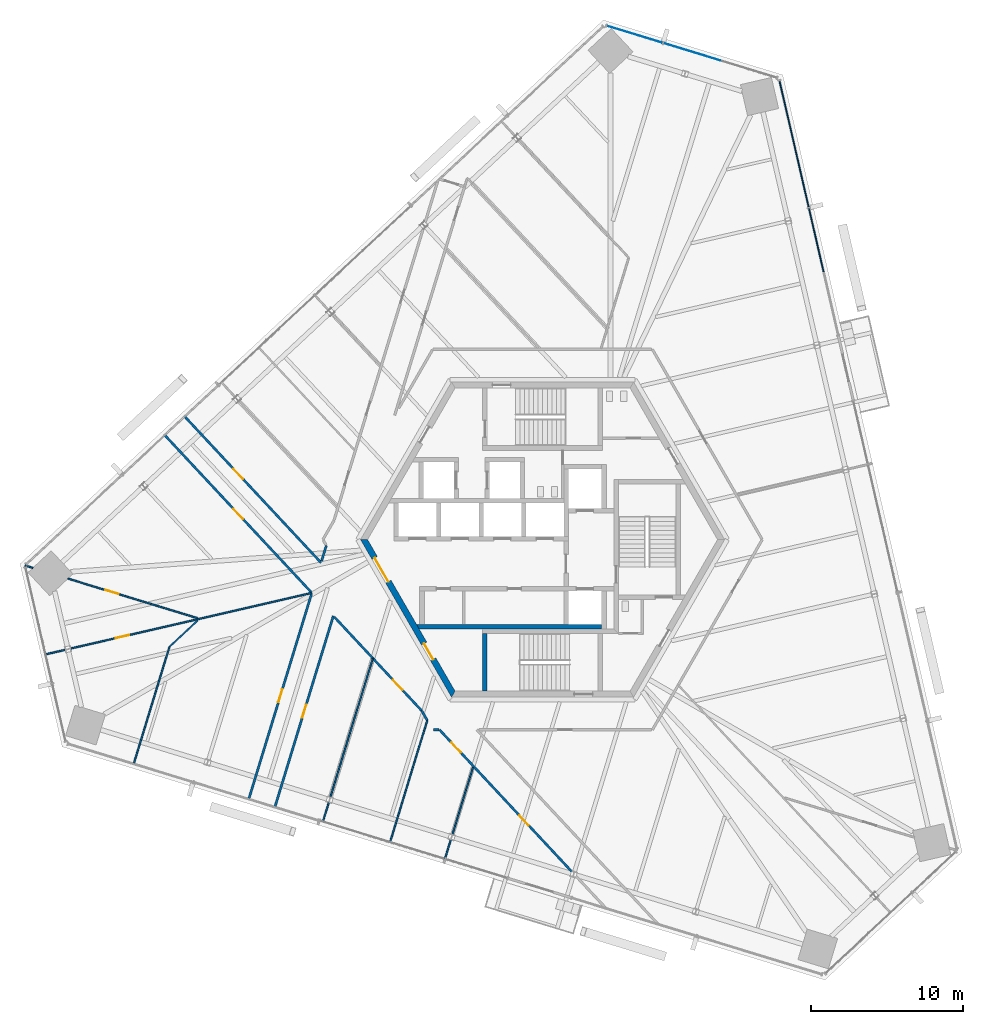
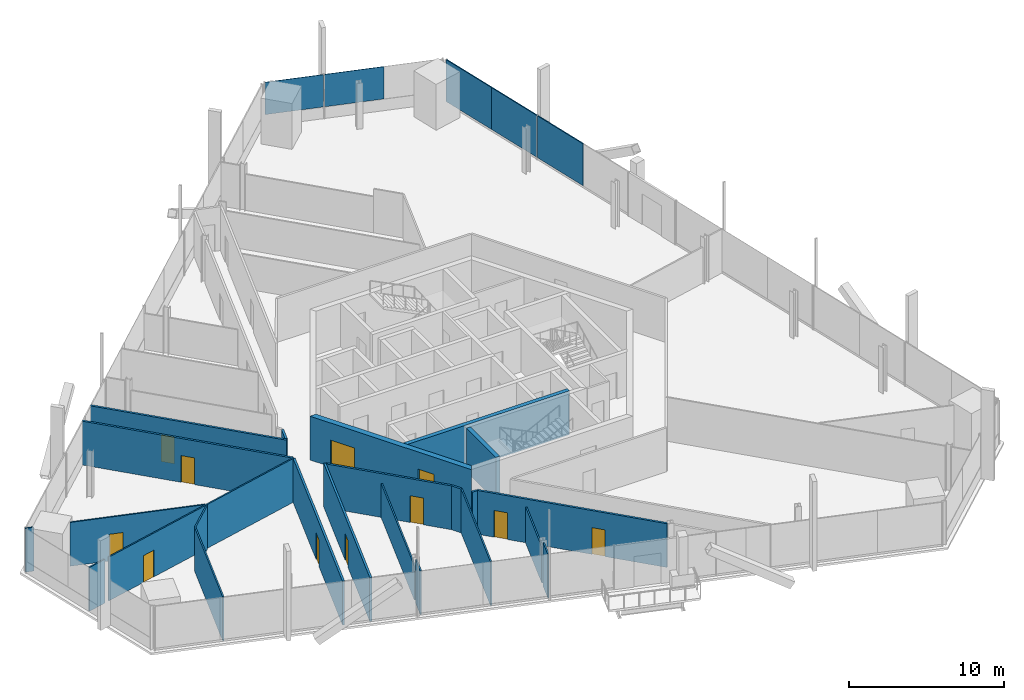
# One storey, part 12 of 23: 23 walls, 11 doors, 5 plates, 11 openings, 2 elements without a shape of their own.
"""IFC4 building model written with IfcOpenShell, lengths in metres."""

from ifc_helpers import new_model, si_unit, direction, frame, frame_2d, origin, origin_2d, place, context, subcontext, project, spatial, polyline, rectangle, outline, extrude, source, transform, mapped, material, layer, layer_set, type_object, element, fill, aggregate, save


model = new_model("IFC4")

# Units and contexts
model_context = context("Model", 3, precision=1e-05, world=origin(), true_north=direction((0.0, 1.0)))
body_context = subcontext(model_context, "Body", "Model", "MODEL_VIEW")
ifc_project = project(units=[si_unit("LENGTHUNIT", "METRE"), si_unit("AREAUNIT", "SQUARE_METRE"), si_unit("VOLUMEUNIT", "CUBIC_METRE"), si_unit("PLANEANGLEUNIT", "RADIAN"), si_unit("MASSUNIT", "GRAM", prefix="KILO")], contexts=[model_context])

# Site, building, storey
site_placement = place(None, origin())
site = spatial("IfcSite", under=ifc_project, at=site_placement, CompositionType="ELEMENT")
building_placement = place(site_placement, origin())
building = spatial("IfcBuilding", under=site, at=building_placement, Name="Triune Harvest Tower", CompositionType="ELEMENT")
storey_placement = place(building_placement, frame((0.0, 0.0, 105.5)))
storey = spatial("IfcBuildingStorey", under=building, at=storey_placement, Name="L26", CompositionType="ELEMENT", Elevation=105.5)

# Curtain wall, plates
ifc_material_1 = material(Name="Aluminium bronze anodised", Category="aluminium")
curtain_wall_type_1 = type_object("IfcCurtainWallType", Name="CW-1 Tower stick curtain wall", PredefinedType="NOTDEFINED", material=ifc_material_1)
curtain_wall_1_placement = place(storey_placement, origin())
curtain_wall_1 = element("IfcCurtainWall", 1, at=curtain_wall_1_placement, inside=storey, type_object=curtain_wall_type_1, Name="CW-1 B3-F2 L26 run 1")
ifc_material_2 = material(Name="Glass", Category="glass")
ifc_layer_1 = layer(ifc_material_2, 0.031982421875)
ifc_layer_set_1 = layer_set([ifc_layer_1], Name="Glass")
plate_type_1 = type_object("IfcPlateType", Name="GL-1 panel 32", PredefinedType="CURTAIN_PANEL", material=ifc_layer_set_1)
shared_shape_1 = source(origin(), body_context, "Body", "SweptSolid", [
    extrude(rectangle(XDim=3.911376953125, YDim=0.031982421875, at=origin_2d()), origin(), (0.0, 0.0, 1.0), 2.5400390625),
])
plate_1_placement = place(storey_placement, frame((9.851318359375, 32.15771484375, 0.89990234375), z_axis=(0.0, 0.0, 1.0), x_axis=(-0.956303148607, 0.292376962095, 0.0)))
plate_1 = element("IfcPlate", 2, at=plate_1_placement, type_object=plate_type_1, Name="CW-1 panel B3-F2 1.2", PredefinedType="CURTAIN_PANEL", context=body_context, shape_type="MappedRepresentation", body=[
    mapped(shared_shape_1, transform((0.0, 0.0, 0.0), scale=1.0)),
])
shared_shape_2 = source(origin(), body_context, "Body", "SweptSolid", [
    extrude(rectangle(XDim=3.83642578125, YDim=0.031982421875, at=origin_2d()), origin(), (0.0, 0.0, 1.0), 2.5400390625),
])
plate_2_placement = place(storey_placement, frame((6.07470703125, 33.312255859375, 0.89990234375), z_axis=(0.0, 0.0, 1.0), x_axis=(-0.956303148607, 0.292376962095, 0.0)))
plate_2 = element("IfcPlate", 3, at=plate_2_placement, type_object=plate_type_1, Name="CW-1 panel B3-F2 1.3", PredefinedType="CURTAIN_PANEL", context=body_context, shape_type="MappedRepresentation", body=[
    mapped(shared_shape_2, transform((0.0, 0.0, 0.0), scale=1.0)),
])
aggregate(curtain_wall_1, [plate_1, plate_2])

ifc_material_3 = material(Name="Aluminium bronze anodised", Category="aluminium")
curtain_wall_type_2 = type_object("IfcCurtainWallType", Name="CW-10 Balcony window wall with insulated spandrel infill", PredefinedType="NOTDEFINED", material=ifc_material_3)
curtain_wall_2_placement = place(storey_placement, origin())
curtain_wall_2 = element("IfcCurtainWall", 4, at=curtain_wall_2_placement, inside=storey, type_object=curtain_wall_type_2, Name="CW-10 B3-F1 L26 run 2")
ifc_material_4 = material(Name="Insulated spandrel panel, bronze aluminium pan", Category="aluminium")
ifc_layer_2 = layer(ifc_material_4, 0.080078125)
ifc_layer_set_2 = layer_set([ifc_layer_2], Name="Insulated spandrel panel, bronze aluminium pan")
plate_type_2 = type_object("IfcPlateType", Name="SP-1 insulated spandrel panel 80", PredefinedType="CURTAIN_PANEL", material=ifc_layer_set_2)
shared_shape_3 = source(origin(), body_context, "Body", "SweptSolid", [
    extrude(rectangle(XDim=4.255859375, YDim=0.080078125, at=origin_2d()), origin(), (0.0, 0.0, 1.0), 3.2900390625),
])
plate_3_placement = place(storey_placement, frame((16.099853515625, 28.1708984375, 0.14990234375), z_axis=(0.0, 0.0, 1.0), x_axis=(-0.22495121687, 0.974370027263, 0.0)))
plate_3 = element("IfcPlate", 5, at=plate_3_placement, type_object=plate_type_2, Name="CW-10 panel B3-F1 2.4", PredefinedType="CURTAIN_PANEL", context=body_context, shape_type="MappedRepresentation", body=[
    mapped(shared_shape_3, transform((0.0, 0.0, 0.0), scale=1.0)),
])
shared_shape_4 = source(origin(), body_context, "Body", "SweptSolid", [
    extrude(rectangle(XDim=4.29345703125, YDim=0.080078125, at=origin_2d()), origin(), (0.0, 0.0, 1.0), 3.2900390625),
])
plate_4_placement = place(storey_placement, frame((18.0439453125, 19.74951171875, 0.14990234375), z_axis=(0.0, 0.0, 1.0), x_axis=(-0.22495121687, 0.974370027263, 0.0)))
plate_4 = element("IfcPlate", 6, at=plate_4_placement, type_object=plate_type_2, Name="CW-10 panel B3-F1 2.2", PredefinedType="CURTAIN_PANEL", context=body_context, shape_type="MappedRepresentation", body=[
    mapped(shared_shape_4, transform((0.0, 0.0, 0.0), scale=1.0)),
])
plate_5_placement = place(storey_placement, frame((17.061279296875, 24.005859375, 0.14990234375), z_axis=(0.0, 0.0, 1.0), x_axis=(-0.22495121687, 0.974370027263, 0.0)))
plate_5 = element("IfcPlate", 7, at=plate_5_placement, type_object=plate_type_2, Name="CW-10 panel B3-F1 2.3", PredefinedType="CURTAIN_PANEL", context=body_context, shape_type="MappedRepresentation", body=[
    mapped(shared_shape_4, transform((0.0, 0.0, 0.0), scale=1.0)),
])
aggregate(curtain_wall_2, [plate_4, plate_5, plate_3])

# Wall
ifc_material_5 = material(Name="Gypsum board on steel studs", Category="steel")
ifc_layer_3 = layer(ifc_material_5, 0.14990234375)
ifc_layer_set_3 = layer_set([ifc_layer_3], Name="Gypsum board on steel studs")
wall_type_1 = type_object("IfcWallType", Name="Fire Partition 150 mm", PredefinedType="PARTITIONING", material=ifc_layer_set_3)
wall_1_placement = place(storey_placement, frame((-7.9716796875, -11.2783203125, 0.0), z_axis=(0.0, 0.0, 1.0), x_axis=(0.500006299954, -0.866021766474, 0.0)))
element("IfcWall", 8, at=wall_1_placement, inside=storey, type_object=wall_type_1, Name="Partition L26 002", PredefinedType="PARTITIONING", context=body_context, shape_type="SweptSolid", body=[
    extrude(rectangle(XDim=0.7197265625, YDim=0.14990234375, at=frame_2d((0.35986328125, 0.0))), origin(), (0.0, 0.0, 1.0), 3.43994140625),
])

# Wall, opening, door
wall_2_placement = place(storey_placement, frame((-24.90966796875, 6.8857421875, 0.0), z_axis=(0.0, 0.0, 1.0), x_axis=(0.681998855031, -0.731353240053, 0.0)))
wall_2 = element("IfcWall", 9, at=wall_2_placement, inside=storey, type_object=wall_type_1, Name="Partition L26 004", PredefinedType="PARTITIONING", context=body_context, shape_type="SweptSolid", body=[
    extrude(rectangle(XDim=14.1376953125, YDim=0.14990234375, at=frame_2d((7.06884765625, 0.0))), origin(), (0.0, 0.0, 1.0), 3.43994140625),
])
opening_1_placement = place(wall_2_placement, frame((6.650146484375, 0.0, 0.0)))
opening_1 = element("IfcOpeningElement", 10, at=opening_1_placement, cuts=wall_2, Name="Opening L26-009", PredefinedType="OPENING", context=body_context, shape_type="SweptSolid", body=[
    extrude(rectangle(XDim=0.89990234375, YDim=2.10009765625, at=frame_2d((0.449951171875, 1.050048828125))), frame((0.0, 0.0849609375, 0.0), z_axis=(0.0, -1.0, 0.0), x_axis=(1.0, 0.0, 0.0)), (0.0, 0.0, 1.0), 0.169921875),
])
ifc_material_6 = material(Name="Timber and steel door set", Category="steel")
door_type_1 = type_object("IfcDoorType", Name="Single leaf door FD30 right hand 900 x 2100", OperationType="SINGLE_SWING_RIGHT", PredefinedType="DOOR", material=ifc_material_6)
door_1_placement = place(opening_1_placement, origin())
door_1 = element("IfcDoor", 11, at=door_1_placement, inside=storey, type_object=door_type_1, Name="Door L26-009 Office 26.09", OperationType="SINGLE_SWING_RIGHT", OverallHeight=2.10009765625, OverallWidth=0.89990234375, PredefinedType="DOOR", context=body_context, shape_type="SweptSolid", body=[
    extrude(rectangle(XDim=0.89990234375, YDim=2.10009765625, at=frame_2d((0.449951171875, 1.050048828125))), frame((0.0, 0.02490234375, 0.0), z_axis=(0.0, -1.0, 0.0), x_axis=(1.0, 0.0, 0.0)), (0.0, 0.0, 1.0), 0.050048828125),
])
fill(opening_1, door_1)

wall_3_placement = place(storey_placement, frame((-13.720947265625, -5.112548828125, 0.0), z_axis=(0.0, 0.0, 1.0), x_axis=(0.681992187494, -0.731359457583, 0.0)))
wall_3 = element("IfcWall", 12, at=wall_3_placement, inside=storey, type_object=wall_type_1, Name="Partition L26 005", PredefinedType="PARTITIONING", context=body_context, shape_type="SweptSolid", body=[
    extrude(rectangle(XDim=8.431884765625, YDim=0.14990234375, at=frame_2d((4.2158203125, 0.0))), origin(), (0.0, 0.0, 1.0), 3.43994140625),
])
opening_2_placement = place(wall_3_placement, frame((5.6591796875, 0.0, 0.0)))
opening_2 = element("IfcOpeningElement", 13, at=opening_2_placement, cuts=wall_3, Name="Opening L26-015", PredefinedType="OPENING", context=body_context, shape_type="SweptSolid", body=[
    extrude(rectangle(XDim=0.89990234375, YDim=2.10009765625, at=frame_2d((0.449951171875, 1.050048828125))), frame((0.0, 0.0849609375, 0.0), z_axis=(0.0, -1.0, 0.0), x_axis=(1.0, 0.0, 0.0)), (0.0, 0.0, 1.0), 0.169921875),
])
ifc_material_7 = material(Name="Timber and steel door set", Category="steel")
door_type_2 = type_object("IfcDoorType", Name="Single leaf door FD30 left hand 900 x 2100", OperationType="SINGLE_SWING_LEFT", PredefinedType="DOOR", material=ifc_material_7)
door_2_placement = place(opening_2_placement, origin())
door_2 = element("IfcDoor", 14, at=door_2_placement, inside=storey, type_object=door_type_2, Name="Door L26-015 Phone room 26.15", OperationType="SINGLE_SWING_LEFT", OverallHeight=2.10009765625, OverallWidth=0.89990234375, PredefinedType="DOOR", context=body_context, shape_type="SweptSolid", body=[
    extrude(rectangle(XDim=0.89990234375, YDim=2.10009765625, at=frame_2d((0.449951171875, 1.050048828125))), frame((0.0, 0.02490234375, 0.0), z_axis=(0.0, -1.0, 0.0), x_axis=(1.0, 0.0, 0.0)), (0.0, 0.0, 1.0), 0.050048828125),
])
fill(opening_2, door_2)

wall_4_placement = place(storey_placement, frame((-17.6484375, -17.635009765625, 0.0), z_axis=(0.0, 0.0, 1.0), x_axis=(0.292363029306, 0.956307408261, 0.0)))
wall_4 = element("IfcWall", 15, at=wall_4_placement, inside=storey, type_object=wall_type_1, Name="Partition L26 043", PredefinedType="PARTITIONING", context=body_context, shape_type="SweptSolid", body=[
    extrude(rectangle(XDim=13.177978515625, YDim=0.14990234375, at=frame_2d((6.5888671875, 0.0))), origin(), (0.0, 0.0, 1.0), 3.43994140625),
])
opening_3_placement = place(wall_4_placement, frame((6.150146484375, 0.0, 0.0)))
opening_3 = element("IfcOpeningElement", 16, at=opening_3_placement, cuts=wall_4, Name="Opening L26-014", PredefinedType="OPENING", context=body_context, shape_type="SweptSolid", body=[
    extrude(rectangle(XDim=0.89990234375, YDim=2.10009765625, at=frame_2d((0.449951171875, 1.050048828125))), frame((0.0, 0.0849609375, 0.0), z_axis=(0.0, -1.0, 0.0), x_axis=(1.0, 0.0, 0.0)), (0.0, 0.0, 1.0), 0.169921875),
])
door_3_placement = place(opening_3_placement, origin())
door_3 = element("IfcDoor", 17, at=door_3_placement, inside=storey, type_object=door_type_2, Name="Door L26-014 Meeting Room 26.14", OperationType="SINGLE_SWING_LEFT", OverallHeight=2.10009765625, OverallWidth=0.89990234375, PredefinedType="DOOR", context=body_context, shape_type="SweptSolid", body=[
    extrude(rectangle(XDim=0.89990234375, YDim=2.10009765625, at=frame_2d((0.449951171875, 1.050048828125))), frame((0.0, 0.02490234375, 0.0), z_axis=(0.0, -1.0, 0.0), x_axis=(1.0, 0.0, 0.0)), (0.0, 0.0, 1.0), 0.050048828125),
])
fill(opening_3, door_3)

# Walls
ifc_material_8 = material(Name="Gypsum board on steel studs", Category="steel")
ifc_layer_4 = layer(ifc_material_8, 0.10009765625)
ifc_layer_set_4 = layer_set([ifc_layer_4], Name="Gypsum board on steel studs")
wall_type_2 = type_object("IfcWallType", Name="Partition 100 mm", PredefinedType="PARTITIONING", material=ifc_layer_set_4)
wall_5_placement = place(storey_placement, frame((-24.596923828125, -7.064453125, 0.0), z_axis=(0.0, 0.0, 1.0), x_axis=(0.731325782477, 0.682028298449, 0.0)))
element("IfcWall", 18, at=wall_5_placement, inside=storey, type_object=wall_type_2, Name="Partition L26 033", PredefinedType="PARTITIONING", context=body_context, shape_type="SweptSolid", body=[
    extrude(rectangle(XDim=2.550537109375, YDim=0.10009765625, at=frame_2d((1.275390625, 0.0))), origin(), (0.0, 0.0, 1.0), 3.43994140625),
])
wall_6_placement = place(storey_placement, frame((-10.060302734375, -19.954833984375, 0.0), z_axis=(0.0, 0.0, 1.0), x_axis=(0.292358731613, 0.956308722144, 0.0)))
element("IfcWall", 19, at=wall_6_placement, inside=storey, type_object=wall_type_2, Name="Partition L26 040", PredefinedType="PARTITIONING", context=body_context, shape_type="SweptSolid", body=[
    extrude(rectangle(XDim=8.40576171875, YDim=0.10009765625, at=frame_2d((4.202880859375, 0.0))), origin(), (0.0, 0.0, 1.0), 3.43994140625),
])
wall_7_placement = place(storey_placement, frame((-26.95849609375, -14.78857421875, 0.0), z_axis=(0.0, 0.0, 1.0), x_axis=(0.2923797957, 0.956302282266, 0.0)))
element("IfcWall", 20, at=wall_7_placement, inside=storey, type_object=wall_type_2, Name="Partition L26 050", PredefinedType="PARTITIONING", context=body_context, shape_type="SweptSolid", body=[
    extrude(rectangle(XDim=8.0771484375, YDim=0.10009765625, at=frame_2d((4.03857421875, 0.0))), origin(), (0.0, 0.0, 1.0), 3.43994140625),
])

# Wall, openings, doors
ifc_material_9 = material(Name="Concrete 70 MPa", Category="concrete")
ifc_layer_5 = layer(ifc_material_9, 0.39990234375)
ifc_layer_set_5 = layer_set([ifc_layer_5], Name="Concrete 70 MPa")
wall_type_3 = type_object("IfcWallType", Name="Core wall 400", PredefinedType="SHEAR", material=ifc_layer_set_5)
shared_shape_5 = source(origin(), body_context, "Body", "SweptSolid", [
    extrude(outline(polyline([(-0.115478515625, -0.199951171875), (11.884521484375, -0.199951171875), (11.653564453125, 0.199951171875), (0.115478515625, 0.199951171875), (-0.115478515625, -0.199951171875)])), origin(), (0.0, 0.0, 1.0), 3.43994140625),
])
wall_8_placement = place(storey_placement, frame((-11.76904296875, 0.0, 0.0), z_axis=(0.0, 0.0, 1.0), x_axis=(0.499996592174, -0.866027371285, 0.0)))
wall_8 = element("IfcWall", 21, at=wall_8_placement, inside=storey, type_object=wall_type_3, Name="Hexagon 3 wall", PredefinedType="SHEAR", context=body_context, shape_type="MappedRepresentation", body=[
    mapped(shared_shape_5, transform((0.0, 0.0, 0.0), scale=1.0)),
])
opening_4_placement = place(wall_8_placement, frame((1.404541015625, 0.0, 0.0)))
opening_4 = element("IfcOpeningElement", 22, at=opening_4_placement, cuts=wall_8, Name="Opening CD-LS", PredefinedType="OPENING", context=body_context, shape_type="SweptSolid", body=[
    extrude(rectangle(XDim=1.800048828125, YDim=2.10009765625, at=frame_2d((0.89990234375, 1.050048828125))), frame((0.0, 0.2099609375, 0.0), z_axis=(0.0, -1.0, 0.0), x_axis=(1.0, 0.0, 0.0)), (0.0, 0.0, 1.0), 0.419921875),
])
opening_5_placement = place(wall_8_placement, frame((7.91455078125, 0.0, 0.0)))
opening_5 = element("IfcOpeningElement", 23, at=opening_5_placement, cuts=wall_8, Name="Opening CD-SWP", PredefinedType="OPENING", context=body_context, shape_type="SweptSolid", body=[
    extrude(rectangle(XDim=1.199951171875, YDim=2.10009765625, at=frame_2d((0.60009765625, 1.050048828125))), frame((0.0, 0.2099609375, 0.0), z_axis=(0.0, -1.0, 0.0), x_axis=(1.0, 0.0, 0.0)), (0.0, 0.0, 1.0), 0.419921875),
])
ifc_material_10 = material(Name="Steel S235", Category="steel")
door_type_3 = type_object("IfcDoorType", Name="Lobby door 1800 FD120", OperationType="DOUBLE_DOOR_DOUBLE_SWING", PredefinedType="DOOR", material=ifc_material_10)
door_4_placement = place(opening_4_placement, frame((1.800048828125, 0.0, 0.0), z_axis=(0.0, 0.0, 1.0), x_axis=(-1.0, 0.0, 0.0)))
door_4 = element("IfcDoor", 24, at=door_4_placement, inside=storey, type_object=door_type_3, Name="Door CD-LS", OperationType="DOUBLE_DOOR_DOUBLE_SWING", OverallHeight=2.10009765625, OverallWidth=1.800048828125, PredefinedType="DOOR", context=body_context, shape_type="SweptSolid", body=[
    extrude(rectangle(XDim=1.800048828125, YDim=2.10009765625, at=frame_2d((0.89990234375, 1.050048828125))), frame((0.0, 0.02490234375, 0.0), z_axis=(0.0, -1.0, 0.0), x_axis=(1.0, 0.0, 0.0)), (0.0, 0.0, 1.0), 0.050048828125),
])
fill(opening_4, door_4)
ifc_material_11 = material(Name="Steel S235", Category="steel")
door_type_4 = type_object("IfcDoorType", Name="Service door 1200 FD120", OperationType="SINGLE_SWING_LEFT", PredefinedType="DOOR", material=ifc_material_11)
door_5_placement = place(opening_5_placement, frame((1.199951171875, 0.0, 0.0), z_axis=(0.0, 0.0, 1.0), x_axis=(-1.0, 0.0, 0.0)))
door_5 = element("IfcDoor", 25, at=door_5_placement, inside=storey, type_object=door_type_4, Name="Door CD-SWP", OperationType="SINGLE_SWING_RIGHT", OverallHeight=2.10009765625, OverallWidth=1.199951171875, PredefinedType="DOOR", context=body_context, shape_type="SweptSolid", body=[
    extrude(rectangle(XDim=1.199951171875, YDim=2.10009765625, at=frame_2d((0.60009765625, 1.050048828125))), frame((0.0, 0.02490234375, 0.0), z_axis=(0.0, -1.0, 0.0), x_axis=(1.0, 0.0, 0.0)), (0.0, 0.0, 1.0), 0.050048828125),
])
fill(opening_5, door_5)

# Walls
ifc_material_12 = material(Name="Concrete 70 MPa", Category="concrete")
ifc_layer_6 = layer(ifc_material_12, 0.300048828125)
ifc_layer_set_6 = layer_set([ifc_layer_6], Name="Concrete 70 MPa")
wall_type_4 = type_object("IfcWallType", Name="Core wall 300", PredefinedType="SHEAR", material=ifc_layer_set_6)
shared_shape_6 = source(origin(), body_context, "Body", "SweptSolid", [
    extrude(outline(polyline([(12.0, -0.14990234375), (-0.039794921875, -0.14990234375), (-0.212890625, 0.14990234375), (12.0, 0.14990234375), (12.0, -0.14990234375)])), origin(), (0.0, 0.0, 1.0), 3.43994140625),
])
wall_9_placement = place(storey_placement, frame((-8.10009765625, -5.739990234375, 0.0), z_axis=(0.0, 0.0, 1.0), x_axis=(1.0, 0.0, 0.0)))
element("IfcWall", 26, at=wall_9_placement, inside=storey, type_object=wall_type_4, Name="South back wall", PredefinedType="SHEAR", context=body_context, shape_type="MappedRepresentation", body=[
    mapped(shared_shape_6, transform((0.0, 0.0, 0.0), scale=1.0)),
])
shared_shape_7 = source(origin(), body_context, "Body", "SweptSolid", [
    extrude(outline(polyline([(3.800048828125, -0.14990234375), (-0.00439453125, -0.14990234375), (-0.00439453125, 0.14990234375), (3.800048828125, 0.14990234375), (3.800048828125, -0.14990234375)])), origin(), (0.0, 0.0, 1.0), 3.43994140625),
])
wall_10_placement = place(storey_placement, frame((-3.800048828125, -9.989990234375, 0.0), z_axis=(0.0, 0.0, 1.0), x_axis=(0.0, 1.0, 0.0)))
element("IfcWall", 27, at=wall_10_placement, inside=storey, type_object=wall_type_4, Name="Stair s west wall", PredefinedType="SHEAR", context=body_context, shape_type="MappedRepresentation", body=[
    mapped(shared_shape_7, transform((0.0, 0.0, 0.0), scale=1.0)),
])
shared_shape_8 = source(origin(), body_context, "Body", "SweptSolid", [
    extrude(rectangle(XDim=0.358642578125, YDim=0.14990234375, at=frame_2d((0.17919921875, 0.0))), origin(), (0.0, 0.0, 1.0), 3.43994140625),
])
wall_11_placement = place(storey_placement, frame((-7.19140625, -12.542236328125, 0.0), z_axis=(0.0, 0.0, 1.0), x_axis=(1.0, 0.0, 0.0)))
element("IfcWall", 28, at=wall_11_placement, inside=storey, type_object=wall_type_1, Name="Partition L26 026", PredefinedType="PARTITIONING", context=body_context, shape_type="MappedRepresentation", body=[
    mapped(shared_shape_8, transform((0.0, 0.0, 0.0), scale=1.0)),
])

# Wall, opening, door
shared_shape_9 = source(origin(), body_context, "Body", "SweptSolid", [
    extrude(rectangle(XDim=14.137451171875, YDim=0.14990234375, at=frame_2d((7.06884765625, 0.0))), origin(), (0.0, 0.0, 1.0), 3.43994140625),
])
wall_12_placement = place(storey_placement, frame((-19.3701171875, -17.108642578125, 0.0), z_axis=(0.0, 0.0, 1.0), x_axis=(0.292364630353, 0.956306918786, 0.0)))
wall_12 = element("IfcWall", 29, at=wall_12_placement, inside=storey, type_object=wall_type_1, Name="Partition L26 046", PredefinedType="PARTITIONING", context=body_context, shape_type="MappedRepresentation", body=[
    mapped(shared_shape_9, transform((0.0, 0.0, 0.0), scale=1.0)),
])
opening_6_placement = place(wall_12_placement, frame((6.66748046875, 0.0, 0.0)))
opening_6 = element("IfcOpeningElement", 30, at=opening_6_placement, cuts=wall_12, Name="Opening L26-013", PredefinedType="OPENING", context=body_context, shape_type="SweptSolid", body=[
    extrude(rectangle(XDim=0.89990234375, YDim=2.10009765625, at=frame_2d((0.449951171875, 1.050048828125))), frame((0.0, 0.0849609375, 0.0), z_axis=(0.0, -1.0, 0.0), x_axis=(1.0, 0.0, 0.0)), (0.0, 0.0, 1.0), 0.169921875),
])
door_6_placement = place(opening_6_placement, origin())
door_6 = element("IfcDoor", 31, at=door_6_placement, inside=storey, type_object=door_type_1, Name="Door L26-013 Office 26.13", OperationType="SINGLE_SWING_RIGHT", OverallHeight=2.10009765625, OverallWidth=0.89990234375, PredefinedType="DOOR", context=body_context, shape_type="SweptSolid", body=[
    extrude(rectangle(XDim=0.89990234375, YDim=2.10009765625, at=frame_2d((0.449951171875, 1.050048828125))), frame((0.0, 0.02490234375, 0.0), z_axis=(0.0, -1.0, 0.0), x_axis=(1.0, 0.0, 0.0)), (0.0, 0.0, 1.0), 0.050048828125),
])
fill(opening_6, door_6)

# Wall, openings, doors
shared_shape_10 = source(origin(), body_context, "Body", "SweptSolid", [
    extrude(rectangle(XDim=12.765625, YDim=0.14990234375, at=frame_2d((6.3828125, 0.0))), origin(), (0.0, 0.0, 1.0), 3.43994140625),
])
wall_13_placement = place(storey_placement, frame((-6.792724609375, -12.542236328125, 0.0), z_axis=(0.0, 0.0, 1.0), x_axis=(0.681995194953, -0.731356653119, 0.0)))
wall_13 = element("IfcWall", 32, at=wall_13_placement, inside=storey, type_object=wall_type_1, Name="Partition L26 006", PredefinedType="PARTITIONING", context=body_context, shape_type="MappedRepresentation", body=[
    mapped(shared_shape_10, transform((0.0, 0.0, 0.0), scale=1.0)),
])
opening_7_placement = place(wall_13_placement, frame((1.14990234375, 0.0, 0.0)))
opening_7 = element("IfcOpeningElement", 33, at=opening_7_placement, cuts=wall_13, Name="Opening L26-016", PredefinedType="OPENING", context=body_context, shape_type="SweptSolid", body=[
    extrude(rectangle(XDim=0.89990234375, YDim=2.10009765625, at=frame_2d((0.449951171875, 1.050048828125))), frame((0.0, 0.0849609375, 0.0), z_axis=(0.0, -1.0, 0.0), x_axis=(1.0, 0.0, 0.0)), (0.0, 0.0, 1.0), 0.169921875),
])
opening_8_placement = place(wall_13_placement, frame((7.71630859375, 0.0, 0.0)))
opening_8 = element("IfcOpeningElement", 34, at=opening_8_placement, cuts=wall_13, Name="Opening L26-017", PredefinedType="OPENING", context=body_context, shape_type="SweptSolid", body=[
    extrude(rectangle(XDim=0.89990234375, YDim=2.10009765625, at=frame_2d((0.449951171875, 1.050048828125))), frame((0.0, 0.0849609375, 0.0), z_axis=(0.0, -1.0, 0.0), x_axis=(1.0, 0.0, 0.0)), (0.0, 0.0, 1.0), 0.169921875),
])
door_7_placement = place(opening_8_placement, origin())
door_7 = element("IfcDoor", 35, at=door_7_placement, inside=storey, type_object=door_type_2, Name="Door L26-017 Open Office 26.17", OperationType="SINGLE_SWING_LEFT", OverallHeight=2.10009765625, OverallWidth=0.89990234375, PredefinedType="DOOR", context=body_context, shape_type="SweptSolid", body=[
    extrude(rectangle(XDim=0.89990234375, YDim=2.10009765625, at=frame_2d((0.449951171875, 1.050048828125))), frame((0.0, 0.02490234375, 0.0), z_axis=(0.0, -1.0, 0.0), x_axis=(1.0, 0.0, 0.0)), (0.0, 0.0, 1.0), 0.050048828125),
])
fill(opening_8, door_7)
door_8_placement = place(opening_7_placement, origin())
door_8 = element("IfcDoor", 36, at=door_8_placement, inside=storey, type_object=door_type_1, Name="Door L26-016 Meeting Room 26.16", OperationType="SINGLE_SWING_RIGHT", OverallHeight=2.10009765625, OverallWidth=0.89990234375, PredefinedType="DOOR", context=body_context, shape_type="SweptSolid", body=[
    extrude(rectangle(XDim=0.89990234375, YDim=2.10009765625, at=frame_2d((0.449951171875, 1.050048828125))), frame((0.0, 0.02490234375, 0.0), z_axis=(0.0, -1.0, 0.0), x_axis=(1.0, 0.0, 0.0)), (0.0, 0.0, 1.0), 0.050048828125),
])
fill(opening_7, door_8)

# Wall, opening, door
shared_shape_11 = source(origin(), body_context, "Body", "SweptSolid", [
    extrude(rectangle(XDim=13.17822265625, YDim=0.14990234375, at=frame_2d((6.589111328125, 0.0))), origin(), (0.0, 0.0, 1.0), 3.43994140625),
])
wall_14_placement = place(storey_placement, frame((-23.59326171875, 8.11328125, 0.0), z_axis=(0.0, 0.0, 1.0), x_axis=(0.681999370249, -0.731352759604, 0.0)))
wall_14 = element("IfcWall", 37, at=wall_14_placement, inside=storey, type_object=wall_type_1, Name="Partition L26 008", PredefinedType="PARTITIONING", context=body_context, shape_type="MappedRepresentation", body=[
    mapped(shared_shape_11, transform((0.0, 0.0, 0.0), scale=1.0)),
])
opening_9_placement = place(wall_14_placement, frame((4.7314453125, 0.0, 0.0)))
opening_9 = element("IfcOpeningElement", 38, at=opening_9_placement, cuts=wall_14, Name="Opening L26-010", PredefinedType="OPENING", context=body_context, shape_type="SweptSolid", body=[
    extrude(rectangle(XDim=0.89990234375, YDim=2.10009765625, at=frame_2d((0.449951171875, 1.050048828125))), frame((0.0, 0.0849609375, 0.0), z_axis=(0.0, -1.0, 0.0), x_axis=(1.0, 0.0, 0.0)), (0.0, 0.0, 1.0), 0.169921875),
])
door_9_placement = place(opening_9_placement, origin())
door_9 = element("IfcDoor", 39, at=door_9_placement, inside=storey, type_object=door_type_2, Name="Door L26-010 Office 26.10", OperationType="SINGLE_SWING_LEFT", OverallHeight=2.10009765625, OverallWidth=0.89990234375, PredefinedType="DOOR", context=body_context, shape_type="SweptSolid", body=[
    extrude(rectangle(XDim=0.89990234375, YDim=2.10009765625, at=frame_2d((0.449951171875, 1.050048828125))), frame((0.0, 0.02490234375, 0.0), z_axis=(0.0, -1.0, 0.0), x_axis=(1.0, 0.0, 0.0)), (0.0, 0.0, 1.0), 0.050048828125),
])
fill(opening_9, door_9)

# Walls
shared_shape_12 = source(origin(), body_context, "Body", "SweptSolid", [
    extrude(rectangle(XDim=1.338134765625, YDim=0.10009765625, at=frame_2d((0.6689453125, 0.0))), origin(), (0.0, 0.0, 1.0), 3.43994140625),
])
wall_15_placement = place(storey_placement, frame((-32.770751953125, -7.56591796875, 0.0), z_axis=(0.0, 0.0, 1.0), x_axis=(0.974363511026, 0.224979439906, 0.0)))
element("IfcWall", 40, at=wall_15_placement, inside=storey, type_object=wall_type_2, Name="Partition L26 029", PredefinedType="PARTITIONING", context=body_context, shape_type="MappedRepresentation", body=[
    mapped(shared_shape_12, transform((0.0, 0.0, 0.0), scale=1.0)),
])
shared_shape_13 = source(origin(), body_context, "Body", "SweptSolid", [
    extrude(rectangle(XDim=0.552490234375, YDim=0.10009765625, at=frame_2d((0.2763671875, 0.0))), origin(), (0.0, 0.0, 1.0), 3.43994140625),
])
wall_16_placement = place(storey_placement, frame((-34.12353515625, -1.70654296875, 0.0), z_axis=(0.0, 0.0, 1.0), x_axis=(0.956379013247, -0.292128709684, 0.0)))
element("IfcWall", 41, at=wall_16_placement, inside=storey, type_object=wall_type_2, Name="Partition L26 021", PredefinedType="PARTITIONING", context=body_context, shape_type="MappedRepresentation", body=[
    mapped(shared_shape_13, transform((0.0, 0.0, 0.0), scale=1.0)),
])

# Wall, opening, door
shared_shape_14 = source(origin(), body_context, "Body", "SweptSolid", [
    extrude(rectangle(XDim=8.922607421875, YDim=0.10009765625, at=frame_2d((4.46142578125, 0.0))), origin(), (0.0, 0.0, 1.0), 3.43994140625),
])
wall_17_placement = place(storey_placement, frame((-31.298095703125, -2.5703125, 0.0), z_axis=(0.0, 0.0, 1.0), x_axis=(0.956306954014, -0.292364515126, 0.0)))
wall_17 = element("IfcWall", 42, at=wall_17_placement, inside=storey, type_object=wall_type_2, Name="Partition L26 022", PredefinedType="PARTITIONING", context=body_context, shape_type="MappedRepresentation", body=[
    mapped(shared_shape_14, transform((0.0, 0.0, 0.0), scale=1.0)),
])
opening_10_placement = place(wall_17_placement, frame((2.595703125, 0.0, 0.0)))
opening_10 = element("IfcOpeningElement", 43, at=opening_10_placement, cuts=wall_17, Name="Opening L26-011", PredefinedType="OPENING", context=body_context, shape_type="SweptSolid", body=[
    extrude(rectangle(XDim=0.89990234375, YDim=2.10009765625, at=frame_2d((0.449951171875, 1.050048828125))), frame((0.0, 0.06005859375, 0.0), z_axis=(0.0, -1.0, 0.0), x_axis=(1.0, 0.0, 0.0)), (0.0, 0.0, 1.0), 0.1201171875),
])
ifc_material_13 = material(Name="Timber and steel door set", Category="steel")
door_type_5 = type_object("IfcDoorType", Name="Single leaf door right hand 900 x 2100", OperationType="SINGLE_SWING_RIGHT", PredefinedType="DOOR", material=ifc_material_13)
door_10_placement = place(opening_10_placement, origin())
door_10 = element("IfcDoor", 44, at=door_10_placement, inside=storey, type_object=door_type_5, Name="Door L26-011 Pantry 26.11", OperationType="SINGLE_SWING_RIGHT", OverallHeight=2.10009765625, OverallWidth=0.89990234375, PredefinedType="DOOR", context=body_context, shape_type="SweptSolid", body=[
    extrude(rectangle(XDim=0.89990234375, YDim=2.10009765625, at=frame_2d((0.449951171875, 1.050048828125))), frame((0.0, 0.02490234375, 0.0), z_axis=(0.0, -1.0, 0.0), x_axis=(1.0, 0.0, 0.0)), (0.0, 0.0, 1.0), 0.050048828125),
])
fill(opening_10, door_10)

shared_shape_15 = source(origin(), body_context, "Body", "SweptSolid", [
    extrude(rectangle(XDim=16.320068359375, YDim=0.10009765625, at=frame_2d((8.16015625, 0.0))), origin(), (0.0, 0.0, 1.0), 3.43994140625),
])
wall_18_placement = place(storey_placement, frame((-31.115234375, -7.18359375, 0.0), z_axis=(0.0, 0.0, 1.0), x_axis=(0.974367994978, 0.224960019475, 0.0)))
wall_18 = element("IfcWall", 45, at=wall_18_placement, inside=storey, type_object=wall_type_2, Name="Partition L26 030", PredefinedType="PARTITIONING", context=body_context, shape_type="MappedRepresentation", body=[
    mapped(shared_shape_15, transform((0.0, 0.0, 0.0), scale=1.0)),
])
opening_11_placement = place(wall_18_placement, frame((3.05078125, 0.0, 0.0)))
opening_11 = element("IfcOpeningElement", 46, at=opening_11_placement, cuts=wall_18, Name="Opening L26-012", PredefinedType="OPENING", context=body_context, shape_type="SweptSolid", body=[
    extrude(rectangle(XDim=0.89990234375, YDim=2.10009765625, at=frame_2d((0.449951171875, 1.050048828125))), frame((0.0, 0.06005859375, 0.0), z_axis=(0.0, -1.0, 0.0), x_axis=(1.0, 0.0, 0.0)), (0.0, 0.0, 1.0), 0.1201171875),
])
door_11_placement = place(opening_11_placement, origin())
door_11 = element("IfcDoor", 47, at=door_11_placement, inside=storey, type_object=door_type_5, Name="Door L26-012 Reception 26.12", OperationType="SINGLE_SWING_RIGHT", OverallHeight=2.10009765625, OverallWidth=0.89990234375, PredefinedType="DOOR", context=body_context, shape_type="SweptSolid", body=[
    extrude(rectangle(XDim=0.89990234375, YDim=2.10009765625, at=frame_2d((0.449951171875, 1.050048828125))), frame((0.0, 0.02490234375, 0.0), z_axis=(0.0, -1.0, 0.0), x_axis=(1.0, 0.0, 0.0)), (0.0, 0.0, 1.0), 0.050048828125),
])
fill(opening_11, door_11)

# Walls
shared_shape_16 = source(origin(), body_context, "Body", "SweptSolid", [
    extrude(rectangle(XDim=1.33837890625, YDim=0.10009765625, at=frame_2d((0.669189453125, 0.0))), origin(), (0.0, 0.0, 1.0), 3.43994140625),
])
for number, where, z_axis, x_axis, name in (
    (48, (-6.439208984375, -21.06201171875, 0.0), (0.0, 0.0, 1.0), (0.292431725513, 0.956286403706, 0.0), "Partition L26 037"),
    (49, (-14.486083984375, -18.601806640625, 0.0), (0.0, 0.0, 1.0), (0.292431725513, 0.956286403706, 0.0), "Partition L26 041"),
):
    element("IfcWall", number, at=place(storey_placement, frame(where, z_axis=z_axis, x_axis=x_axis)), inside=storey, type_object=wall_type_2, Name=name, PredefinedType="PARTITIONING", context=body_context, shape_type="MappedRepresentation", body=[
        mapped(shared_shape_16, transform((0.0, 0.0, 0.0), scale=1.0)),
    ])
shared_shape_17 = source(origin(), body_context, "Body", "SweptSolid", [
    extrude(rectangle(XDim=1.078125, YDim=0.14990234375, at=frame_2d((0.5390625, 0.0))), origin(), (0.0, 0.0, 1.0), 3.43994140625),
])
wall_19_placement = place(storey_placement, frame((-14.5732421875, -1.419189453125, 0.0), z_axis=(0.0, 0.0, 1.0), x_axis=(0.29214373793, 0.956374422697, 0.0)))
element("IfcWall", 50, at=wall_19_placement, inside=storey, type_object=wall_type_1, Name="Partition L26 047", PredefinedType="PARTITIONING", context=body_context, shape_type="MappedRepresentation", body=[
    mapped(shared_shape_17, transform((0.0, 0.0, 0.0), scale=1.0)),
])
shared_shape_18 = source(origin(), body_context, "Body", "SweptSolid", [
    extrude(rectangle(XDim=4.62158203125, YDim=0.10009765625, at=frame_2d((2.310791015625, 0.0))), origin(), (0.0, 0.0, 1.0), 2.827880859375),
])
wall_20_placement = place(storey_placement, frame((-5.9423828125, -19.43701171875, 0.0), z_axis=(0.0, 0.0, 1.0), x_axis=(0.292388974181, 0.956299475989, 0.0)))
element("IfcWall", 51, at=wall_20_placement, inside=storey, type_object=wall_type_2, Name="Partition L26 038", PredefinedType="PARTITIONING", context=body_context, shape_type="MappedRepresentation", body=[
    mapped(shared_shape_18, transform((0.0, 0.0, 0.0), scale=1.0)),
])
shared_shape_19 = source(origin(), body_context, "Body", "SweptSolid", [
    extrude(rectangle(XDim=9.56982421875, YDim=0.10009765625, at=frame_2d((4.784912109375, 0.0))), origin(), (0.0, 0.0, 1.0), 2.68310546875),
])
wall_21_placement = place(storey_placement, frame((-13.9892578125, -16.976806640625, 0.0), z_axis=(0.0, 0.0, 1.0), x_axis=(0.292364364926, 0.956306999933, 0.0)))
element("IfcWall", 52, at=wall_21_placement, inside=storey, type_object=wall_type_2, Name="Partition L26 042", PredefinedType="PARTITIONING", context=body_context, shape_type="MappedRepresentation", body=[
    mapped(shared_shape_19, transform((0.0, 0.0, 0.0), scale=1.0)),
])

save(model, "model.ifc")
